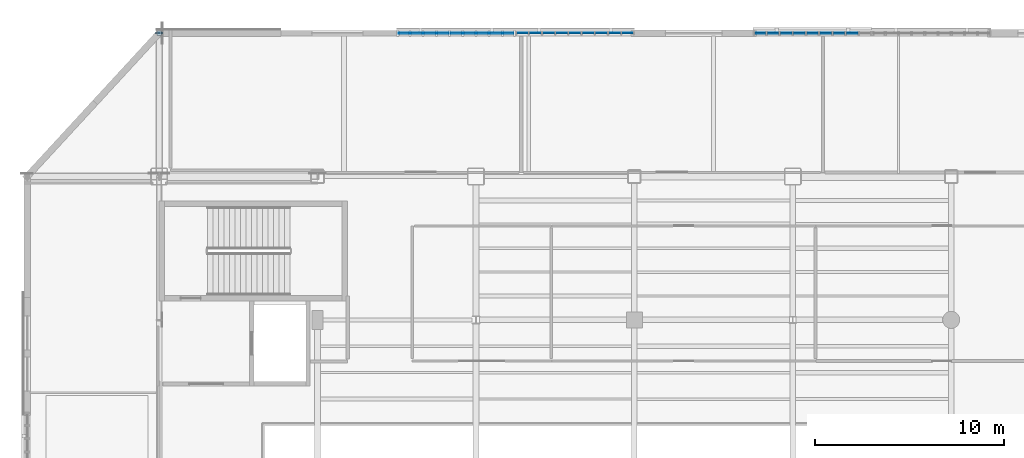
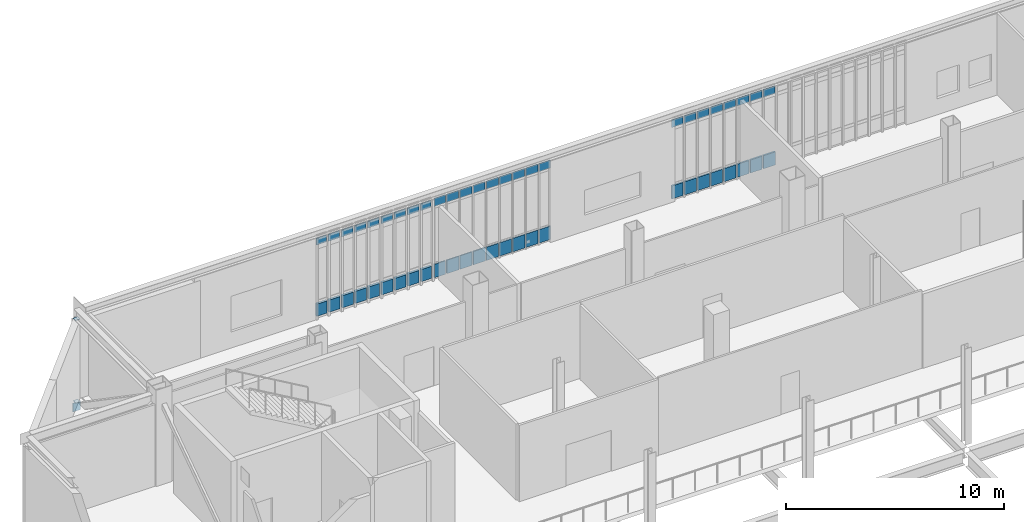
# One storey, part 97 of 127: 55 plates, 3 elements without a shape of their own.
"""IFC4 building model written with IfcOpenShell, lengths in metres."""

from ifc_helpers import new_model, si_unit, direction, frame, origin, origin_2d, place, context, subcontext, project, spatial, rectangle, extrude, material, layer, layer_set, type_object, element, aggregate, save


model = new_model("IFC4")

# Units and contexts
model_context = context("Model", 3, precision=1e-05, world=origin(), true_north=direction((0.0, 1.0)))
body_context = subcontext(model_context, "Body", "Model", "MODEL_VIEW")
ifc_project = project(units=[si_unit("LENGTHUNIT", "METRE"), si_unit("AREAUNIT", "SQUARE_METRE"), si_unit("VOLUMEUNIT", "CUBIC_METRE"), si_unit("PLANEANGLEUNIT", "RADIAN"), si_unit("MASSUNIT", "GRAM", prefix="KILO")], contexts=[model_context])

# Site, building, storey
site_placement = place(None, origin())
site = spatial("IfcSite", under=ifc_project, at=site_placement, CompositionType="ELEMENT")
building_placement = place(site_placement, origin())
building = spatial("IfcBuilding", under=site, at=building_placement, Name="Larkvane Passage Sports Hall", CompositionType="ELEMENT")
storey_placement = place(building_placement, frame((0.0, 0.0, 5.39990234375)))
storey = spatial("IfcBuildingStorey", under=building, at=storey_placement, Name="L01", CompositionType="ELEMENT", Elevation=5.39990234375)

# Curtain wall, plates
ifc_material_1 = material(Name="Thermally broken aluminium and low-E glazing", Category="aluminium")
curtain_wall_type_1 = type_object("IfcCurtainWallType", Name="CW-CLINIC", PredefinedType="USERDEFINED", material=ifc_material_1)
curtain_wall_1_placement = place(storey_placement, origin())
curtain_wall_1 = element("IfcCurtainWall", 1, at=curtain_wall_1_placement, inside=storey, type_object=curtain_wall_type_1, Name="Curtain wall CW5-L01-039", ObjectType="UNITISED CURTAIN WALL", PredefinedType="USERDEFINED")
ifc_material_2 = material(Name="Deep insulated facade spandrel panel")
ifc_layer_1 = layer(ifc_material_2, 0.125)
ifc_layer_set_1 = layer_set([ifc_layer_1], Name="Deep insulated facade spandrel panel")
plate_type_1 = type_object("IfcPlateType", Name="CWP-SPD-125", PredefinedType="CURTAIN_PANEL", material=ifc_layer_set_1)
plate_1_placement = place(storey_placement, frame((47.777587890625, 99.199951171875, 0.110107421875), z_axis=(0.0, 0.0, 1.0), x_axis=(1.0, 0.0, 0.0)))
plate_1 = element("IfcPlate", 2, at=plate_1_placement, type_object=plate_type_1, Name="CW-05 panel 1.1", PredefinedType="CURTAIN_PANEL", context=body_context, shape_type="SweptSolid", body=[
    extrude(rectangle(XDim=0.534912109375, YDim=0.125, at=origin_2d()), origin(), (0.0, 0.0, 1.0), 0.68505859375),
])
plate_2_placement = place(storey_placement, frame((48.449951171875, 99.199951171875, 0.110107421875), z_axis=(0.0, 0.0, 1.0), x_axis=(1.0, 0.0, 0.0)))
plate_2 = element("IfcPlate", 3, at=plate_2_placement, type_object=plate_type_1, Name="CW-05 panel 2.1", PredefinedType="CURTAIN_PANEL", context=body_context, shape_type="SweptSolid", body=[
    extrude(rectangle(XDim=0.590087890625, YDim=0.125, at=origin_2d()), origin(), (0.0, 0.0, 1.0), 0.68505859375),
])
plate_3_placement = place(storey_placement, frame((49.14990234375, 99.199951171875, 0.110107421875), z_axis=(0.0, 0.0, 1.0), x_axis=(1.0, 0.0, 0.0)))
plate_3 = element("IfcPlate", 4, at=plate_3_placement, type_object=plate_type_1, Name="CW-05 panel 3.1", PredefinedType="CURTAIN_PANEL", context=body_context, shape_type="SweptSolid", body=[
    extrude(rectangle(XDim=0.590087890625, YDim=0.125, at=origin_2d()), origin(), (0.0, 0.0, 1.0), 0.68505859375),
])
plate_4_placement = place(storey_placement, frame((49.85009765625, 99.199951171875, 0.110107421875), z_axis=(0.0, 0.0, 1.0), x_axis=(1.0, 0.0, 0.0)))
plate_4 = element("IfcPlate", 5, at=plate_4_placement, type_object=plate_type_1, Name="CW-05 panel 4.1", PredefinedType="CURTAIN_PANEL", context=body_context, shape_type="SweptSolid", body=[
    extrude(rectangle(XDim=0.590087890625, YDim=0.125, at=origin_2d()), origin(), (0.0, 0.0, 1.0), 0.68505859375),
])
plate_5_placement = place(storey_placement, frame((50.550048828125, 99.199951171875, 0.110107421875), z_axis=(0.0, 0.0, 1.0), x_axis=(1.0, 0.0, 0.0)))
plate_5 = element("IfcPlate", 6, at=plate_5_placement, type_object=plate_type_1, Name="CW-05 panel 5.1", PredefinedType="CURTAIN_PANEL", context=body_context, shape_type="SweptSolid", body=[
    extrude(rectangle(XDim=0.590087890625, YDim=0.125, at=origin_2d()), origin(), (0.0, 0.0, 1.0), 0.68505859375),
])
plate_6_placement = place(storey_placement, frame((51.25, 99.199951171875, 0.110107421875), z_axis=(0.0, 0.0, 1.0), x_axis=(1.0, 0.0, 0.0)))
plate_6 = element("IfcPlate", 7, at=plate_6_placement, type_object=plate_type_1, Name="CW-05 panel 6.1", PredefinedType="CURTAIN_PANEL", context=body_context, shape_type="SweptSolid", body=[
    extrude(rectangle(XDim=0.590087890625, YDim=0.125, at=origin_2d()), origin(), (0.0, 0.0, 1.0), 0.68505859375),
])
plate_7_placement = place(storey_placement, frame((51.949951171875, 99.199951171875, 0.110107421875), z_axis=(0.0, 0.0, 1.0), x_axis=(1.0, 0.0, 0.0)))
plate_7 = element("IfcPlate", 8, at=plate_7_placement, type_object=plate_type_1, Name="CW-05 panel 7.1", PredefinedType="CURTAIN_PANEL", context=body_context, shape_type="SweptSolid", body=[
    extrude(rectangle(XDim=0.590087890625, YDim=0.125, at=origin_2d()), origin(), (0.0, 0.0, 1.0), 0.68505859375),
])
plate_8_placement = place(storey_placement, frame((52.64990234375, 99.199951171875, 0.110107421875), z_axis=(0.0, 0.0, 1.0), x_axis=(1.0, 0.0, 0.0)))
plate_8 = element("IfcPlate", 9, at=plate_8_placement, type_object=plate_type_1, Name="CW-05 panel 8.1", PredefinedType="CURTAIN_PANEL", context=body_context, shape_type="SweptSolid", body=[
    extrude(rectangle(XDim=0.590087890625, YDim=0.125, at=origin_2d()), origin(), (0.0, 0.0, 1.0), 0.68505859375),
])
plate_9_placement = place(storey_placement, frame((53.322509765625, 99.199951171875, 0.110107421875), z_axis=(0.0, 0.0, 1.0), x_axis=(1.0, 0.0, 0.0)))
plate_9 = element("IfcPlate", 10, at=plate_9_placement, type_object=plate_type_1, Name="CW-05 panel 9.1", PredefinedType="CURTAIN_PANEL", context=body_context, shape_type="SweptSolid", body=[
    extrude(rectangle(XDim=0.534912109375, YDim=0.125, at=origin_2d()), origin(), (0.0, 0.0, 1.0), 0.68505859375),
])

curtain_wall_type_2 = type_object("IfcCurtainWallType", Name="CW-UNIT-COURT", PredefinedType="USERDEFINED", material=ifc_material_1)
curtain_wall_2_placement = place(storey_placement, origin())
curtain_wall_2 = element("IfcCurtainWall", 11, at=curtain_wall_2_placement, inside=storey, type_object=curtain_wall_type_2, Name="Curtain wall CW5-L01-040", ObjectType="UNITISED CURTAIN WALL", PredefinedType="USERDEFINED")
ifc_material_3 = material(Name="Insulated aluminium spandrel panel", Category="aluminium")
ifc_layer_2 = layer(ifc_material_3, 0.06494140625)
ifc_layer_set_2 = layer_set([ifc_layer_2], Name="Insulated aluminium spandrel panel")
plate_type_2 = type_object("IfcPlateType", Name="CWP-SPD-65", PredefinedType="CURTAIN_PANEL", material=ifc_layer_set_2)
plate_10_placement = place(storey_placement, frame((54.066162109375, 99.199951171875, 0.065185546875), z_axis=(0.0, 0.0, 1.0), x_axis=(1.0, 0.0, 0.0)))
plate_10 = element("IfcPlate", 12, at=plate_10_placement, type_object=plate_type_2, Name="CW-01 panel 1.1", PredefinedType="CURTAIN_PANEL", context=body_context, shape_type="SweptSolid", body=[
    extrude(rectangle(XDim=0.6025390625, YDim=0.06494140625, at=origin_2d()), origin(), (0.0, 0.0, 1.0), 0.75244140625),
])
plate_11_placement = place(storey_placement, frame((54.75, 99.199951171875, 0.065185546875), z_axis=(0.0, 0.0, 1.0), x_axis=(1.0, 0.0, 0.0)))
plate_11 = element("IfcPlate", 13, at=plate_11_placement, type_object=plate_type_2, Name="CW-01 panel 2.1", PredefinedType="CURTAIN_PANEL", context=body_context, shape_type="SweptSolid", body=[
    extrude(rectangle(XDim=0.635009765625, YDim=0.06494140625, at=origin_2d()), origin(), (0.0, 0.0, 1.0), 0.75244140625),
])
plate_12_placement = place(storey_placement, frame((55.449951171875, 99.199951171875, 0.065185546875), z_axis=(0.0, 0.0, 1.0), x_axis=(1.0, 0.0, 0.0)))
plate_12 = element("IfcPlate", 14, at=plate_12_placement, type_object=plate_type_2, Name="CW-01 panel 3.1", PredefinedType="CURTAIN_PANEL", context=body_context, shape_type="SweptSolid", body=[
    extrude(rectangle(XDim=0.635009765625, YDim=0.06494140625, at=origin_2d()), origin(), (0.0, 0.0, 1.0), 0.75244140625),
])
plate_13_placement = place(storey_placement, frame((56.14990234375, 99.199951171875, 0.065185546875), z_axis=(0.0, 0.0, 1.0), x_axis=(1.0, 0.0, 0.0)))
plate_13 = element("IfcPlate", 15, at=plate_13_placement, type_object=plate_type_2, Name="CW-01 panel 4.1", PredefinedType="CURTAIN_PANEL", context=body_context, shape_type="SweptSolid", body=[
    extrude(rectangle(XDim=0.635009765625, YDim=0.06494140625, at=origin_2d()), origin(), (0.0, 0.0, 1.0), 0.75244140625),
])
plate_14_placement = place(storey_placement, frame((56.85009765625, 99.199951171875, 0.065185546875), z_axis=(0.0, 0.0, 1.0), x_axis=(1.0, 0.0, 0.0)))
plate_14 = element("IfcPlate", 16, at=plate_14_placement, type_object=plate_type_2, Name="CW-01 panel 5.1", PredefinedType="CURTAIN_PANEL", context=body_context, shape_type="SweptSolid", body=[
    extrude(rectangle(XDim=0.635009765625, YDim=0.06494140625, at=origin_2d()), origin(), (0.0, 0.0, 1.0), 0.75244140625),
])
plate_15_placement = place(storey_placement, frame((57.550048828125, 99.199951171875, 0.065185546875), z_axis=(0.0, 0.0, 1.0), x_axis=(1.0, 0.0, 0.0)))
plate_15 = element("IfcPlate", 17, at=plate_15_placement, type_object=plate_type_2, Name="CW-01 panel 6.1", PredefinedType="CURTAIN_PANEL", context=body_context, shape_type="SweptSolid", body=[
    extrude(rectangle(XDim=0.635009765625, YDim=0.06494140625, at=origin_2d()), origin(), (0.0, 0.0, 1.0), 0.75244140625),
])
plate_16_placement = place(storey_placement, frame((58.25, 99.199951171875, 0.065185546875), z_axis=(0.0, 0.0, 1.0), x_axis=(1.0, 0.0, 0.0)))
plate_16 = element("IfcPlate", 18, at=plate_16_placement, type_object=plate_type_2, Name="CW-01 panel 7.1", PredefinedType="CURTAIN_PANEL", context=body_context, shape_type="SweptSolid", body=[
    extrude(rectangle(XDim=0.635009765625, YDim=0.06494140625, at=origin_2d()), origin(), (0.0, 0.0, 1.0), 0.75244140625),
])
plate_17_placement = place(storey_placement, frame((58.949951171875, 99.199951171875, 0.065185546875), z_axis=(0.0, 0.0, 1.0), x_axis=(1.0, 0.0, 0.0)))
plate_17 = element("IfcPlate", 19, at=plate_17_placement, type_object=plate_type_2, Name="CW-01 panel 8.1", PredefinedType="CURTAIN_PANEL", context=body_context, shape_type="SweptSolid", body=[
    extrude(rectangle(XDim=0.635009765625, YDim=0.06494140625, at=origin_2d()), origin(), (0.0, 0.0, 1.0), 0.75244140625),
])
plate_18_placement = place(storey_placement, frame((59.6337890625, 99.199951171875, 0.065185546875), z_axis=(0.0, 0.0, 1.0), x_axis=(1.0, 0.0, 0.0)))
plate_18 = element("IfcPlate", 20, at=plate_18_placement, type_object=plate_type_2, Name="CW-01 panel 9.1", PredefinedType="CURTAIN_PANEL", context=body_context, shape_type="SweptSolid", body=[
    extrude(rectangle(XDim=0.6025390625, YDim=0.06494140625, at=origin_2d()), origin(), (0.0, 0.0, 1.0), 0.75244140625),
])

curtain_wall_type_3 = type_object("IfcCurtainWallType", Name="CW-UNIT-VEIL", PredefinedType="USERDEFINED", material=ifc_material_1)
curtain_wall_3_placement = place(storey_placement, origin())
curtain_wall_3 = element("IfcCurtainWall", 21, at=curtain_wall_3_placement, inside=storey, type_object=curtain_wall_type_3, Name="Curtain wall CW5-L01-041", ObjectType="UNITISED CURTAIN WALL", PredefinedType="USERDEFINED")
ifc_material_4 = material(Name="Mineral-wool insulated spandrel cassette")
ifc_layer_3 = layer(ifc_material_4, 0.0849609375)
ifc_layer_set_3 = layer_set([ifc_layer_3], Name="Mineral-wool insulated spandrel cassette")
plate_type_3 = type_object("IfcPlateType", Name="CWP-SPD-85", PredefinedType="CURTAIN_PANEL", material=ifc_layer_set_3)
plate_19_placement = place(storey_placement, frame((66.668701171875, 99.199951171875, 0.0751953125), z_axis=(0.0, 0.0, 1.0), x_axis=(1.0, 0.0, 0.0)))
plate_19 = element("IfcPlate", 22, at=plate_19_placement, type_object=plate_type_3, Name="CW-02 panel 1.1", PredefinedType="CURTAIN_PANEL", context=body_context, shape_type="SweptSolid", body=[
    extrude(rectangle(XDim=0.58740234375, YDim=0.0849609375, at=origin_2d()), origin(), (0.0, 0.0, 1.0), 0.737548828125),
])
plate_20_placement = place(storey_placement, frame((67.35009765625, 99.199951171875, 0.0751953125), z_axis=(0.0, 0.0, 1.0), x_axis=(1.0, 0.0, 0.0)))
plate_20 = element("IfcPlate", 23, at=plate_20_placement, type_object=plate_type_3, Name="CW-02 panel 2.1", PredefinedType="CURTAIN_PANEL", context=body_context, shape_type="SweptSolid", body=[
    extrude(rectangle(XDim=0.625, YDim=0.0849609375, at=origin_2d()), origin(), (0.0, 0.0, 1.0), 0.737548828125),
])
plate_21_placement = place(storey_placement, frame((68.050048828125, 99.199951171875, 0.0751953125), z_axis=(0.0, 0.0, 1.0), x_axis=(1.0, 0.0, 0.0)))
plate_21 = element("IfcPlate", 24, at=plate_21_placement, type_object=plate_type_3, Name="CW-02 panel 3.1", PredefinedType="CURTAIN_PANEL", context=body_context, shape_type="SweptSolid", body=[
    extrude(rectangle(XDim=0.625, YDim=0.0849609375, at=origin_2d()), origin(), (0.0, 0.0, 1.0), 0.737548828125),
])
plate_22_placement = place(storey_placement, frame((68.75, 99.199951171875, 0.0751953125), z_axis=(0.0, 0.0, 1.0), x_axis=(1.0, 0.0, 0.0)))
plate_22 = element("IfcPlate", 25, at=plate_22_placement, type_object=plate_type_3, Name="CW-02 panel 4.1", PredefinedType="CURTAIN_PANEL", context=body_context, shape_type="SweptSolid", body=[
    extrude(rectangle(XDim=0.625, YDim=0.0849609375, at=origin_2d()), origin(), (0.0, 0.0, 1.0), 0.737548828125),
])
plate_23_placement = place(storey_placement, frame((69.449951171875, 99.199951171875, 0.0751953125), z_axis=(0.0, 0.0, 1.0), x_axis=(1.0, 0.0, 0.0)))
plate_23 = element("IfcPlate", 26, at=plate_23_placement, type_object=plate_type_3, Name="CW-02 panel 5.1", PredefinedType="CURTAIN_PANEL", context=body_context, shape_type="SweptSolid", body=[
    extrude(rectangle(XDim=0.625, YDim=0.0849609375, at=origin_2d()), origin(), (0.0, 0.0, 1.0), 0.737548828125),
])
plate_24_placement = place(storey_placement, frame((70.14990234375, 99.199951171875, 0.0751953125), z_axis=(0.0, 0.0, 1.0), x_axis=(1.0, 0.0, 0.0)))
plate_24 = element("IfcPlate", 27, at=plate_24_placement, type_object=plate_type_3, Name="CW-02 panel 6.1", PredefinedType="CURTAIN_PANEL", context=body_context, shape_type="SweptSolid", body=[
    extrude(rectangle(XDim=0.625, YDim=0.0849609375, at=origin_2d()), origin(), (0.0, 0.0, 1.0), 0.737548828125),
])
plate_25_placement = place(storey_placement, frame((70.85009765625, 99.199951171875, 0.0751953125), z_axis=(0.0, 0.0, 1.0), x_axis=(1.0, 0.0, 0.0)))
plate_25 = element("IfcPlate", 28, at=plate_25_placement, type_object=plate_type_3, Name="CW-02 panel 7.1", PredefinedType="CURTAIN_PANEL", context=body_context, shape_type="SweptSolid", body=[
    extrude(rectangle(XDim=0.625, YDim=0.0849609375, at=origin_2d()), origin(), (0.0, 0.0, 1.0), 0.737548828125),
])
plate_26_placement = place(storey_placement, frame((71.550048828125, 99.199951171875, 0.0751953125), z_axis=(0.0, 0.0, 1.0), x_axis=(1.0, 0.0, 0.0)))
plate_26 = element("IfcPlate", 29, at=plate_26_placement, type_object=plate_type_3, Name="CW-02 panel 8.1", PredefinedType="CURTAIN_PANEL", context=body_context, shape_type="SweptSolid", body=[
    extrude(rectangle(XDim=0.625, YDim=0.0849609375, at=origin_2d()), origin(), (0.0, 0.0, 1.0), 0.737548828125),
])

# Plate
ifc_material_5 = material(Name="Solar-control low-E double glazing", Category="glass")
ifc_layer_4 = layer(ifc_material_5, 0.028076171875)
ifc_layer_set_4 = layer_set([ifc_layer_4], Name="Solar-control low-E double glazing")
plate_type_4 = type_object("IfcPlateType", Name="CWP-VIS-28", PredefinedType="CURTAIN_PANEL", material=ifc_layer_set_4)
plate_27_placement = place(storey_placement, frame((54.066162109375, 99.199951171875, 4.060546875), z_axis=(0.0, 0.0, 1.0), x_axis=(1.0, 0.0, 0.0)))
plate_27 = element("IfcPlate", 30, at=plate_27_placement, type_object=plate_type_4, Name="CW-01 panel 1.3", PredefinedType="CURTAIN_PANEL", context=body_context, shape_type="SweptSolid", body=[
    extrude(rectangle(XDim=0.6025390625, YDim=0.028076171875, at=origin_2d()), origin(), (0.0, 0.0, 1.0), 0.452392578125),
])

plate_28_placement = place(storey_placement, frame((54.75, 99.199951171875, 4.060546875), z_axis=(0.0, 0.0, 1.0), x_axis=(1.0, 0.0, 0.0)))
plate_28 = element("IfcPlate", 31, at=plate_28_placement, type_object=plate_type_4, Name="CW-01 panel 2.3", PredefinedType="CURTAIN_PANEL", context=body_context, shape_type="SweptSolid", body=[
    extrude(rectangle(XDim=0.635009765625, YDim=0.028076171875, at=origin_2d()), origin(), (0.0, 0.0, 1.0), 0.452392578125),
])

plate_29_placement = place(storey_placement, frame((55.449951171875, 99.199951171875, 4.060546875), z_axis=(0.0, 0.0, 1.0), x_axis=(1.0, 0.0, 0.0)))
plate_29 = element("IfcPlate", 32, at=plate_29_placement, type_object=plate_type_4, Name="CW-01 panel 3.3", PredefinedType="CURTAIN_PANEL", context=body_context, shape_type="SweptSolid", body=[
    extrude(rectangle(XDim=0.635009765625, YDim=0.028076171875, at=origin_2d()), origin(), (0.0, 0.0, 1.0), 0.452392578125),
])

plate_30_placement = place(storey_placement, frame((56.14990234375, 99.199951171875, 4.060546875), z_axis=(0.0, 0.0, 1.0), x_axis=(1.0, 0.0, 0.0)))
plate_30 = element("IfcPlate", 33, at=plate_30_placement, type_object=plate_type_4, Name="CW-01 panel 4.3", PredefinedType="CURTAIN_PANEL", context=body_context, shape_type="SweptSolid", body=[
    extrude(rectangle(XDim=0.635009765625, YDim=0.028076171875, at=origin_2d()), origin(), (0.0, 0.0, 1.0), 0.452392578125),
])

plate_31_placement = place(storey_placement, frame((56.85009765625, 99.199951171875, 4.060546875), z_axis=(0.0, 0.0, 1.0), x_axis=(1.0, 0.0, 0.0)))
plate_31 = element("IfcPlate", 34, at=plate_31_placement, type_object=plate_type_4, Name="CW-01 panel 5.3", PredefinedType="CURTAIN_PANEL", context=body_context, shape_type="SweptSolid", body=[
    extrude(rectangle(XDim=0.635009765625, YDim=0.028076171875, at=origin_2d()), origin(), (0.0, 0.0, 1.0), 0.452392578125),
])

plate_32_placement = place(storey_placement, frame((57.550048828125, 99.199951171875, 4.060546875), z_axis=(0.0, 0.0, 1.0), x_axis=(1.0, 0.0, 0.0)))
plate_32 = element("IfcPlate", 35, at=plate_32_placement, type_object=plate_type_4, Name="CW-01 panel 6.3", PredefinedType="CURTAIN_PANEL", context=body_context, shape_type="SweptSolid", body=[
    extrude(rectangle(XDim=0.635009765625, YDim=0.028076171875, at=origin_2d()), origin(), (0.0, 0.0, 1.0), 0.452392578125),
])

plate_33_placement = place(storey_placement, frame((58.25, 99.199951171875, 4.060546875), z_axis=(0.0, 0.0, 1.0), x_axis=(1.0, 0.0, 0.0)))
plate_33 = element("IfcPlate", 36, at=plate_33_placement, type_object=plate_type_4, Name="CW-01 panel 7.3", PredefinedType="CURTAIN_PANEL", context=body_context, shape_type="SweptSolid", body=[
    extrude(rectangle(XDim=0.635009765625, YDim=0.028076171875, at=origin_2d()), origin(), (0.0, 0.0, 1.0), 0.452392578125),
])

plate_34_placement = place(storey_placement, frame((58.949951171875, 99.199951171875, 4.060546875), z_axis=(0.0, 0.0, 1.0), x_axis=(1.0, 0.0, 0.0)))
plate_34 = element("IfcPlate", 37, at=plate_34_placement, type_object=plate_type_4, Name="CW-01 panel 8.3", PredefinedType="CURTAIN_PANEL", context=body_context, shape_type="SweptSolid", body=[
    extrude(rectangle(XDim=0.635009765625, YDim=0.028076171875, at=origin_2d()), origin(), (0.0, 0.0, 1.0), 0.452392578125),
])

plate_35_placement = place(storey_placement, frame((59.6337890625, 99.199951171875, 4.060546875), z_axis=(0.0, 0.0, 1.0), x_axis=(1.0, 0.0, 0.0)))
plate_35 = element("IfcPlate", 38, at=plate_35_placement, type_object=plate_type_4, Name="CW-01 panel 9.3", PredefinedType="CURTAIN_PANEL", context=body_context, shape_type="SweptSolid", body=[
    extrude(rectangle(XDim=0.6025390625, YDim=0.028076171875, at=origin_2d()), origin(), (0.0, 0.0, 1.0), 0.452392578125),
])

aggregate(curtain_wall_2, [plate_10, plate_27, plate_11, plate_28, plate_12, plate_29, plate_13, plate_30, plate_14, plate_31, plate_15, plate_32, plate_16, plate_33, plate_17, plate_34, plate_18, plate_35])

ifc_material_6 = material(Name="Laminated acoustic low-E glazing", Category="glass")
ifc_layer_5 = layer(ifc_material_6, 0.031982421875)
ifc_layer_set_5 = layer_set([ifc_layer_5], Name="Laminated acoustic low-E glazing")
plate_type_5 = type_object("IfcPlateType", Name="CWP-VIS-32", PredefinedType="CURTAIN_PANEL", material=ifc_layer_set_5)
plate_36_placement = place(storey_placement, frame((66.668701171875, 99.199951171875, 4.065673828125), z_axis=(0.0, 0.0, 1.0), x_axis=(1.0, 0.0, 0.0)))
plate_36 = element("IfcPlate", 39, at=plate_36_placement, type_object=plate_type_5, Name="CW-02 panel 1.3", PredefinedType="CURTAIN_PANEL", context=body_context, shape_type="SweptSolid", body=[
    extrude(rectangle(XDim=0.58740234375, YDim=0.031982421875, at=origin_2d()), origin(), (0.0, 0.0, 1.0), 0.4375),
])

plate_37_placement = place(storey_placement, frame((67.35009765625, 99.199951171875, 4.065673828125), z_axis=(0.0, 0.0, 1.0), x_axis=(1.0, 0.0, 0.0)))
plate_37 = element("IfcPlate", 40, at=plate_37_placement, type_object=plate_type_5, Name="CW-02 panel 2.3", PredefinedType="CURTAIN_PANEL", context=body_context, shape_type="SweptSolid", body=[
    extrude(rectangle(XDim=0.625, YDim=0.031982421875, at=origin_2d()), origin(), (0.0, 0.0, 1.0), 0.4375),
])

plate_38_placement = place(storey_placement, frame((68.050048828125, 99.199951171875, 4.065673828125), z_axis=(0.0, 0.0, 1.0), x_axis=(1.0, 0.0, 0.0)))
plate_38 = element("IfcPlate", 41, at=plate_38_placement, type_object=plate_type_5, Name="CW-02 panel 3.3", PredefinedType="CURTAIN_PANEL", context=body_context, shape_type="SweptSolid", body=[
    extrude(rectangle(XDim=0.625, YDim=0.031982421875, at=origin_2d()), origin(), (0.0, 0.0, 1.0), 0.4375),
])

plate_39_placement = place(storey_placement, frame((68.75, 99.199951171875, 4.065673828125), z_axis=(0.0, 0.0, 1.0), x_axis=(1.0, 0.0, 0.0)))
plate_39 = element("IfcPlate", 42, at=plate_39_placement, type_object=plate_type_5, Name="CW-02 panel 4.3", PredefinedType="CURTAIN_PANEL", context=body_context, shape_type="SweptSolid", body=[
    extrude(rectangle(XDim=0.625, YDim=0.031982421875, at=origin_2d()), origin(), (0.0, 0.0, 1.0), 0.4375),
])

plate_40_placement = place(storey_placement, frame((69.449951171875, 99.199951171875, 4.065673828125), z_axis=(0.0, 0.0, 1.0), x_axis=(1.0, 0.0, 0.0)))
plate_40 = element("IfcPlate", 43, at=plate_40_placement, type_object=plate_type_5, Name="CW-02 panel 5.3", PredefinedType="CURTAIN_PANEL", context=body_context, shape_type="SweptSolid", body=[
    extrude(rectangle(XDim=0.625, YDim=0.031982421875, at=origin_2d()), origin(), (0.0, 0.0, 1.0), 0.4375),
])

plate_41_placement = place(storey_placement, frame((70.14990234375, 99.199951171875, 4.065673828125), z_axis=(0.0, 0.0, 1.0), x_axis=(1.0, 0.0, 0.0)))
plate_41 = element("IfcPlate", 44, at=plate_41_placement, type_object=plate_type_5, Name="CW-02 panel 6.3", PredefinedType="CURTAIN_PANEL", context=body_context, shape_type="SweptSolid", body=[
    extrude(rectangle(XDim=0.625, YDim=0.031982421875, at=origin_2d()), origin(), (0.0, 0.0, 1.0), 0.4375),
])

plate_42_placement = place(storey_placement, frame((70.85009765625, 99.199951171875, 4.065673828125), z_axis=(0.0, 0.0, 1.0), x_axis=(1.0, 0.0, 0.0)))
plate_42 = element("IfcPlate", 45, at=plate_42_placement, type_object=plate_type_5, Name="CW-02 panel 7.3", PredefinedType="CURTAIN_PANEL", context=body_context, shape_type="SweptSolid", body=[
    extrude(rectangle(XDim=0.625, YDim=0.031982421875, at=origin_2d()), origin(), (0.0, 0.0, 1.0), 0.4375),
])

plate_43_placement = place(storey_placement, frame((71.550048828125, 99.199951171875, 4.065673828125), z_axis=(0.0, 0.0, 1.0), x_axis=(1.0, 0.0, 0.0)))
plate_43 = element("IfcPlate", 46, at=plate_43_placement, type_object=plate_type_5, Name="CW-02 panel 8.3", PredefinedType="CURTAIN_PANEL", context=body_context, shape_type="SweptSolid", body=[
    extrude(rectangle(XDim=0.625, YDim=0.031982421875, at=origin_2d()), origin(), (0.0, 0.0, 1.0), 0.4375),
])

aggregate(curtain_wall_3, [plate_19, plate_36, plate_20, plate_37, plate_21, plate_38, plate_22, plate_39, plate_23, plate_40, plate_24, plate_41, plate_25, plate_42, plate_26, plate_43])

ifc_material_7 = material(Name="Triple-laminated typhoon glazing", Category="glass")
ifc_layer_6 = layer(ifc_material_7, 0.0419921875)
ifc_layer_set_6 = layer_set([ifc_layer_6], Name="Triple-laminated typhoon glazing")
plate_type_6 = type_object("IfcPlateType", Name="CWP-VIS-42", PredefinedType="CURTAIN_PANEL", material=ifc_layer_set_6)
plate_44_placement = place(storey_placement, frame((47.777587890625, 99.199951171875, 4.0732421875), z_axis=(0.0, 0.0, 1.0), x_axis=(1.0, 0.0, 0.0)))
plate_44 = element("IfcPlate", 47, at=plate_44_placement, type_object=plate_type_6, Name="CW-05 panel 1.3", PredefinedType="CURTAIN_PANEL", context=body_context, shape_type="SweptSolid", body=[
    extrude(rectangle(XDim=0.534912109375, YDim=0.0419921875, at=origin_2d()), origin(), (0.0, 0.0, 1.0), 0.385009765625),
])

plate_45_placement = place(storey_placement, frame((48.449951171875, 99.199951171875, 4.0732421875), z_axis=(0.0, 0.0, 1.0), x_axis=(1.0, 0.0, 0.0)))
plate_45 = element("IfcPlate", 48, at=plate_45_placement, type_object=plate_type_6, Name="CW-05 panel 2.3", PredefinedType="CURTAIN_PANEL", context=body_context, shape_type="SweptSolid", body=[
    extrude(rectangle(XDim=0.590087890625, YDim=0.0419921875, at=origin_2d()), origin(), (0.0, 0.0, 1.0), 0.385009765625),
])

plate_46_placement = place(storey_placement, frame((49.14990234375, 99.199951171875, 4.0732421875), z_axis=(0.0, 0.0, 1.0), x_axis=(1.0, 0.0, 0.0)))
plate_46 = element("IfcPlate", 49, at=plate_46_placement, type_object=plate_type_6, Name="CW-05 panel 3.3", PredefinedType="CURTAIN_PANEL", context=body_context, shape_type="SweptSolid", body=[
    extrude(rectangle(XDim=0.590087890625, YDim=0.0419921875, at=origin_2d()), origin(), (0.0, 0.0, 1.0), 0.385009765625),
])

plate_47_placement = place(storey_placement, frame((49.85009765625, 99.199951171875, 4.0732421875), z_axis=(0.0, 0.0, 1.0), x_axis=(1.0, 0.0, 0.0)))
plate_47 = element("IfcPlate", 50, at=plate_47_placement, type_object=plate_type_6, Name="CW-05 panel 4.3", PredefinedType="CURTAIN_PANEL", context=body_context, shape_type="SweptSolid", body=[
    extrude(rectangle(XDim=0.590087890625, YDim=0.0419921875, at=origin_2d()), origin(), (0.0, 0.0, 1.0), 0.385009765625),
])

plate_48_placement = place(storey_placement, frame((50.550048828125, 99.199951171875, 4.0732421875), z_axis=(0.0, 0.0, 1.0), x_axis=(1.0, 0.0, 0.0)))
plate_48 = element("IfcPlate", 51, at=plate_48_placement, type_object=plate_type_6, Name="CW-05 panel 5.3", PredefinedType="CURTAIN_PANEL", context=body_context, shape_type="SweptSolid", body=[
    extrude(rectangle(XDim=0.590087890625, YDim=0.0419921875, at=origin_2d()), origin(), (0.0, 0.0, 1.0), 0.385009765625),
])

plate_49_placement = place(storey_placement, frame((51.25, 99.199951171875, 4.0732421875), z_axis=(0.0, 0.0, 1.0), x_axis=(1.0, 0.0, 0.0)))
plate_49 = element("IfcPlate", 52, at=plate_49_placement, type_object=plate_type_6, Name="CW-05 panel 6.3", PredefinedType="CURTAIN_PANEL", context=body_context, shape_type="SweptSolid", body=[
    extrude(rectangle(XDim=0.590087890625, YDim=0.0419921875, at=origin_2d()), origin(), (0.0, 0.0, 1.0), 0.385009765625),
])

plate_50_placement = place(storey_placement, frame((51.949951171875, 99.199951171875, 4.0732421875), z_axis=(0.0, 0.0, 1.0), x_axis=(1.0, 0.0, 0.0)))
plate_50 = element("IfcPlate", 53, at=plate_50_placement, type_object=plate_type_6, Name="CW-05 panel 7.3", PredefinedType="CURTAIN_PANEL", context=body_context, shape_type="SweptSolid", body=[
    extrude(rectangle(XDim=0.590087890625, YDim=0.0419921875, at=origin_2d()), origin(), (0.0, 0.0, 1.0), 0.385009765625),
])

plate_51_placement = place(storey_placement, frame((52.64990234375, 99.199951171875, 4.0732421875), z_axis=(0.0, 0.0, 1.0), x_axis=(1.0, 0.0, 0.0)))
plate_51 = element("IfcPlate", 54, at=plate_51_placement, type_object=plate_type_6, Name="CW-05 panel 8.3", PredefinedType="CURTAIN_PANEL", context=body_context, shape_type="SweptSolid", body=[
    extrude(rectangle(XDim=0.590087890625, YDim=0.0419921875, at=origin_2d()), origin(), (0.0, 0.0, 1.0), 0.385009765625),
])

plate_52_placement = place(storey_placement, frame((53.322509765625, 99.199951171875, 4.0732421875), z_axis=(0.0, 0.0, 1.0), x_axis=(1.0, 0.0, 0.0)))
plate_52 = element("IfcPlate", 55, at=plate_52_placement, type_object=plate_type_6, Name="CW-05 panel 9.3", PredefinedType="CURTAIN_PANEL", context=body_context, shape_type="SweptSolid", body=[
    extrude(rectangle(XDim=0.534912109375, YDim=0.0419921875, at=origin_2d()), origin(), (0.0, 0.0, 1.0), 0.385009765625),
])

aggregate(curtain_wall_1, [plate_1, plate_44, plate_2, plate_45, plate_3, plate_46, plate_4, plate_47, plate_5, plate_48, plate_6, plate_49, plate_7, plate_50, plate_8, plate_51, plate_9, plate_52])

# Plates
ifc_material_8 = material(Name="Steel S355JR", Category="steel")
ifc_layer_7 = layer(ifc_material_8, 0.011962890625)
ifc_layer_set_7 = layer_set([ifc_layer_7], Name="Steel S355JR")
plate_type_7 = type_object("IfcPlateType", Name="PLT-CAP-12", PredefinedType="SHEET", material=ifc_layer_set_7)
for number, where, z_axis, x_axis, name in (
    (56, (34.800048828125, 99.199951171875, -0.24169921875), (0.0, 0.0, 1.0), (1.0, 0.0, 0.0), "Hollow section sealed end cap plate 0129"),
    (57, (34.800048828125, 99.199951171875, 4.39208984375), (0.0, 0.0, 1.0), (1.0, 0.0, 0.0), "Hollow section sealed end cap plate 0130"),
):
    element("IfcPlate", number, at=place(storey_placement, frame(where, z_axis=z_axis, x_axis=x_axis)), inside=storey, type_object=plate_type_7, Name=name, PredefinedType="SHEET", context=body_context, shape_type="SweptSolid", body=[
        extrude(rectangle(XDim=0.239990234375, YDim=0.239990234375, at=origin_2d()), origin(), (0.0, 0.0, 1.0), 0.011962890625),
    ])
ifc_material_9 = material(Name="Steel S460N", Category="steel")
ifc_layer_8 = layer(ifc_material_9, 0.02001953125)
ifc_layer_set_8 = layer_set([ifc_layer_8], Name="Steel S460N")
plate_type_8 = type_object("IfcPlateType", Name="PLT-CAP-20", PredefinedType="SHEET", material=ifc_layer_set_8)
plate_53_placement = place(storey_placement, frame((34.800048828125, 99.208251953125, -0.771484375), z_axis=(0.0, 0.0, 1.0), x_axis=(-1.0, 0.0, 0.0)))
element("IfcPlate", 58, at=plate_53_placement, inside=storey, type_object=plate_type_8, Name="Hollow section sealed end cap plate 0128", PredefinedType="SHEET", context=body_context, shape_type="SweptSolid", body=[
    extrude(rectangle(XDim=0.409912109375, YDim=0.028076171875, at=origin_2d()), origin(), (0.0, 0.0, 1.0), 0.48388671875),
])

save(model, "model.ifc")
